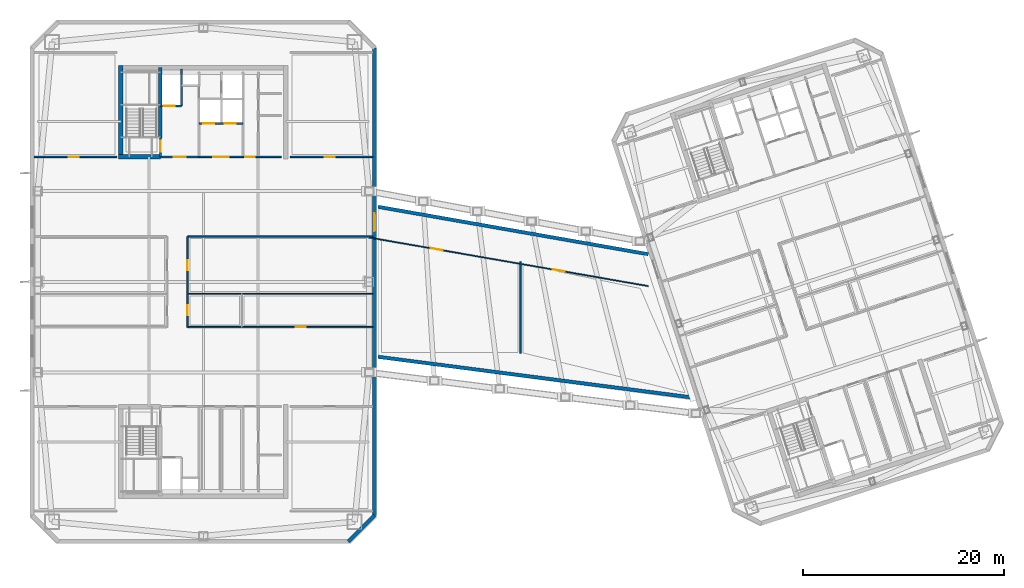
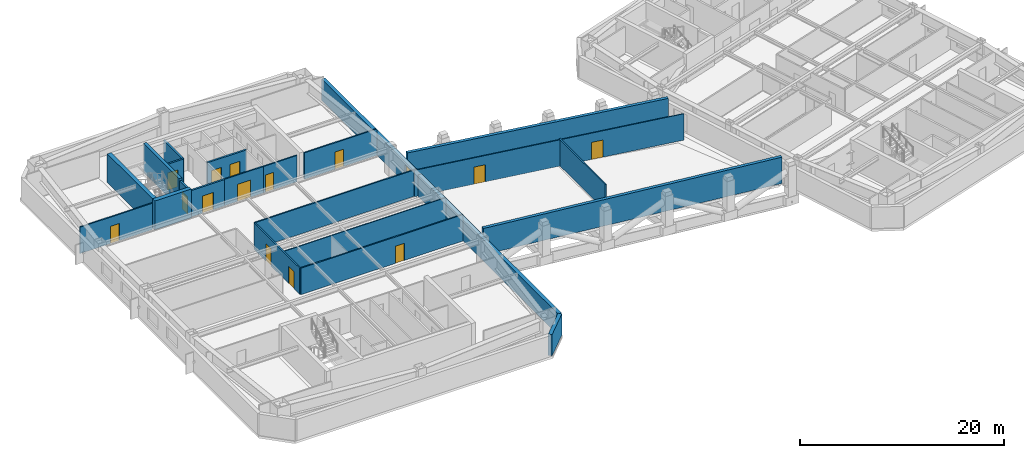
# One storey, part 7 of 19: 22 walls, 15 doors, 15 openings.
"""IFC4 building model written with IfcOpenShell, lengths in metres."""

from ifc_helpers import new_model, si_unit, direction, frame, frame_2d, origin, place, context, subcontext, project, spatial, rectangle, extrude, material, layer, layer_set, type_object, element, fill, save


model = new_model("IFC4")

# Units and contexts
model_context = context("Model", 3, precision=1e-05, world=origin(), true_north=direction((0.0, 1.0)))
body_context = subcontext(model_context, "Body", "Model", "MODEL_VIEW")
ifc_project = project(units=[si_unit("LENGTHUNIT", "METRE"), si_unit("AREAUNIT", "SQUARE_METRE"), si_unit("VOLUMEUNIT", "CUBIC_METRE"), si_unit("PLANEANGLEUNIT", "RADIAN"), si_unit("MASSUNIT", "GRAM", prefix="KILO")], contexts=[model_context])

# Site, building, storey
site_placement = place(None, origin())
site = spatial("IfcSite", under=ifc_project, at=site_placement, CompositionType="ELEMENT")
building_placement = place(site_placement, origin())
building = spatial("IfcBuilding", under=site, at=building_placement, Name="Qiaolan Cultural Towers", CompositionType="ELEMENT")
storey_placement = place(building_placement, frame((0.0, 0.0, 216.199951171875)))
storey = spatial("IfcBuildingStorey", under=building, at=storey_placement, Name="L58", CompositionType="ELEMENT", Elevation=216.199951171875)

# Walls
ifc_material_1 = material(Name="Concrete C50", Category="concrete")
ifc_layer_1 = layer(ifc_material_1, 0.35009765625)
ifc_layer_set_1 = layer_set([ifc_layer_1], Name="Concrete C50")
wall_type_1 = type_object("IfcWallType", Name="WL-CORE-350", PredefinedType="SHEAR", material=ifc_layer_set_1)
wall_1_placement = place(storey_placement, frame((25.719970703125, 48.300048828125, 0.0), z_axis=(0.0, 0.0, 1.0), x_axis=(0.0, 1.0, 0.0)))
element("IfcWall", 1, at=wall_1_placement, inside=storey, type_object=wall_type_1, Name="L58 T1-CN Stair Core Dividing Web", PredefinedType="SHEAR", context=body_context, shape_type="SweptSolid", body=[
    extrude(rectangle(XDim=6.97998046875, YDim=0.35009765625, at=frame_2d((3.489990234375, 0.0))), origin(), (0.0, 0.0, 1.0), 3.449951171875),
])
ifc_material_2 = material(Name="Concrete C50", Category="concrete")
ifc_layer_2 = layer(ifc_material_2, 0.449951171875)
ifc_layer_set_2 = layer_set([ifc_layer_2], Name="Concrete C50")
wall_type_2 = type_object("IfcWallType", Name="WL-CORE-450", PredefinedType="SHEAR", material=ifc_layer_set_2)
wall_2_placement = place(storey_placement, frame((21.800048828125, 46.175048828125, 0.0), z_axis=(0.0, 0.0, 1.0), x_axis=(0.0, 1.0, 0.0)))
element("IfcWall", 2, at=wall_2_placement, inside=storey, type_object=wall_type_2, Name="L58 T1-CN West Core Shear Wall", PredefinedType="SHEAR", context=body_context, shape_type="SweptSolid", body=[
    extrude(rectangle(XDim=9.329833984375, YDim=0.449951171875, at=frame_2d((4.6650390625, 0.0))), origin(), (0.0, 0.0, 1.0), 3.449951171875),
])
wall_3_placement = place(storey_placement, frame((21.574951171875, 46.39990234375, 0.0), z_axis=(0.0, 0.0, 1.0), x_axis=(1.0, 0.0, 0.0)))
element("IfcWall", 3, at=wall_3_placement, inside=storey, type_object=wall_type_2, Name="L58 T1-CN Stair Front Shear Wall", PredefinedType="SHEAR", context=body_context, shape_type="SweptSolid", body=[
    extrude(rectangle(XDim=4.14501953125, YDim=0.449951171875, at=frame_2d((2.072509765625, 0.0))), origin(), (0.0, 0.0, 1.0), 3.449951171875),
])

# Wall, opening, door
ifc_material_3 = material(Name="Precast Concrete C50 Honed Stone Pier", Category="masonry")
ifc_layer_3 = layer(ifc_material_3, 0.39990234375)
ifc_layer_set_3 = layer_set([ifc_layer_3], Name="Precast Concrete C50 Honed Stone Pier")
wall_type_3 = type_object("IfcWallType", Name="WL-EXT-PIER-400", PredefinedType="SOLIDWALL", material=ifc_layer_set_3)
wall_4_placement = place(storey_placement, frame((47.0, 57.199951171875, 0.0), z_axis=(0.0, 0.0, 1.0), x_axis=(0.0, -1.0, 0.0)))
wall_4 = element("IfcWall", 4, at=wall_4_placement, inside=storey, type_object=wall_type_3, Name="L58 West Tower Precast Pier Facade Wall F5", PredefinedType="SOLIDWALL", context=body_context, shape_type="SweptSolid", body=[
    extrude(rectangle(XDim=46.39990234375, YDim=0.39990234375, at=frame_2d((23.199951171875, 0.0))), origin(), (0.0, 0.0, 1.0), 2.550048828125),
])
opening_1_placement = place(wall_4_placement, frame((16.39990234375, 0.0, 0.0)))
opening_1 = element("IfcOpeningElement", 5, at=opening_1_placement, cuts=wall_4, Name="Opening FD-B1", PredefinedType="OPENING", context=body_context, shape_type="SweptSolid", body=[
    extrude(rectangle(XDim=1.800048828125, YDim=2.199951171875, at=frame_2d((0.89990234375, 1.10009765625))), frame((0.0, 0.2099609375, 0.0), z_axis=(0.0, -1.0, 0.0), x_axis=(1.0, 0.0, 0.0)), (0.0, 0.0, 1.0), 0.419921875),
])
ifc_material_4 = material(Name="Galvanized Steel Fire-Rated Bridge Door", Category="steel")
door_type_1 = type_object("IfcDoorType", Name="DR-BRG-1800", OperationType="NOTDEFINED", PredefinedType="DOOR", material=ifc_material_4)
door_1_placement = place(opening_1_placement, origin())
door_1 = element("IfcDoor", 6, at=door_1_placement, inside=storey, type_object=door_type_1, Name="L58 West Tower Sky Park Bridge Fire Door", OperationType="SINGLE_SWING_LEFT", OverallHeight=2.199951171875, OverallWidth=1.800048828125, PredefinedType="DOOR", context=body_context, shape_type="SweptSolid", body=[
    extrude(rectangle(XDim=1.800048828125, YDim=2.199951171875, at=frame_2d((0.89990234375, 1.10009765625))), frame((0.0, 0.02490234375, 0.0), z_axis=(0.0, -1.0, 0.0), x_axis=(1.0, 0.0, 0.0)), (0.0, 0.0, 1.0), 0.050048828125),
])
fill(opening_1, door_1)

# Walls
wall_5_placement = place(storey_placement, frame((47.0, 10.800048828125, 0.0), z_axis=(0.0, 0.0, 1.0), x_axis=(-0.707106781187, -0.707106781187, 0.0)))
element("IfcWall", 7, at=wall_5_placement, inside=storey, type_object=wall_type_3, Name="L58 West Tower Precast Pier Facade Wall F6", PredefinedType="SOLIDWALL", context=body_context, shape_type="SweptSolid", body=[
    extrude(rectangle(XDim=3.677001953125, YDim=0.39990234375, at=frame_2d((1.83837890625, 0.0))), origin(), (0.0, 0.0, 1.0), 2.550048828125),
])
wall_6_placement = place(storey_placement, frame((47.35009765625, 26.550048828125, 0.0), z_axis=(0.0, 0.0, 1.0), x_axis=(0.991732402874, -0.128323189996, 0.0)))
element("IfcWall", 8, at=wall_6_placement, inside=storey, type_object=wall_type_3, Name="L58 Sky Park South Bridge Facade Wall", PredefinedType="SOLIDWALL", context=body_context, shape_type="SweptSolid", body=[
    extrude(rectangle(XDim=31.724853515625, YDim=0.35009765625, at=frame_2d((15.8623046875, 0.0))), origin(), (0.0, 0.0, 1.0), 3.150146484375),
])
wall_7_placement = place(storey_placement, frame((74.177490234375, 36.744873046875, 0.0), z_axis=(0.0, 0.0, 1.0), x_axis=(-0.984966283934, 0.172746691759, 0.0)))
element("IfcWall", 9, at=wall_7_placement, inside=storey, type_object=wall_type_3, Name="L58 Sky Park North Bridge Facade Wall", PredefinedType="SOLIDWALL", context=body_context, shape_type="SweptSolid", body=[
    extrude(rectangle(XDim=27.23681640625, YDim=0.35009765625, at=frame_2d((13.618408203125, 0.0))), origin(), (0.0, 0.0, 1.0), 3.150146484375),
])

# Wall, opening, door
ifc_material_5 = material(Name="Concrete C35 Fire Wall", Category="concrete")
ifc_layer_4 = layer(ifc_material_5, 0.199951171875)
ifc_layer_set_4 = layer_set([ifc_layer_4], Name="Concrete C35 Fire Wall")
wall_type_4 = type_object("IfcWallType", Name="WL-FIRE-200", PredefinedType="PARTITIONING", material=ifc_layer_set_4)
wall_8_placement = place(storey_placement, frame((25.719970703125, 46.39990234375, 0.0), z_axis=(0.0, 0.0, 1.0), x_axis=(0.0, 1.0, 0.0)))
wall_8 = element("IfcWall", 10, at=wall_8_placement, inside=storey, type_object=wall_type_4, Name="L58 T1-CN Smokeproof Stair Entry Wall", PredefinedType="PARTITIONING", context=body_context, shape_type="SweptSolid", body=[
    extrude(rectangle(XDim=1.900146484375, YDim=0.199951171875, at=frame_2d((0.9501953125, 0.0))), origin(), (0.0, 0.0, 1.0), 3.155029296875),
])
opening_2_placement = place(wall_8_placement, frame((0.52001953125, 0.0, 0.0)))
opening_2 = element("IfcOpeningElement", 11, at=opening_2_placement, cuts=wall_8, Name="Opening FD-04", PredefinedType="OPENING", context=body_context, shape_type="SweptSolid", body=[
    extrude(rectangle(XDim=1.10009765625, YDim=2.050048828125, at=frame_2d((0.550048828125, 1.02490234375))), frame((0.0, 0.10986328125, 0.0), z_axis=(0.0, -1.0, 0.0), x_axis=(1.0, 0.0, 0.0)), (0.0, 0.0, 1.0), 0.219970703125),
])
ifc_material_6 = material(Name="Galvanized Steel Command Fire Door", Category="steel")
door_type_2 = type_object("IfcDoorType", Name="DR-FD90-1100", OperationType="NOTDEFINED", PredefinedType="DOOR", material=ifc_material_6)
door_2_placement = place(opening_2_placement, origin())
door_2 = element("IfcDoor", 12, at=door_2_placement, inside=storey, type_object=door_type_2, Name="L58 ST-W2 Smokeproof Stair Fire Door", OperationType="SINGLE_SWING_LEFT", OverallHeight=2.050048828125, OverallWidth=1.10009765625, PredefinedType="DOOR", context=body_context, shape_type="SweptSolid", body=[
    extrude(rectangle(XDim=1.10009765625, YDim=2.050048828125, at=frame_2d((0.550048828125, 1.02490234375))), frame((0.0, 0.02490234375, 0.0), z_axis=(0.0, -1.0, 0.0), x_axis=(1.0, 0.0, 0.0)), (0.0, 0.0, 1.0), 0.050048828125),
])
fill(opening_2, door_2)

wall_9_placement = place(storey_placement, frame((25.719970703125, 46.39990234375, 0.0), z_axis=(0.0, 0.0, 1.0), x_axis=(1.0, 0.0, 0.0)))
wall_9 = element("IfcWall", 13, at=wall_9_placement, inside=storey, type_object=wall_type_4, Name="L58 T1-CN Firefighting Lobby Front Wall", PredefinedType="PARTITIONING", context=body_context, shape_type="SweptSolid", body=[
    extrude(rectangle(XDim=3.830078125, YDim=0.199951171875, at=frame_2d((1.9150390625, 0.0))), origin(), (0.0, 0.0, 1.0), 3.155029296875),
])
opening_3_placement = place(wall_9_placement, frame((1.35009765625, 0.0, 0.0)))
opening_3 = element("IfcOpeningElement", 14, at=opening_3_placement, cuts=wall_9, Name="Opening FD-03", PredefinedType="OPENING", context=body_context, shape_type="SweptSolid", body=[
    extrude(rectangle(XDim=1.199951171875, YDim=2.050048828125, at=frame_2d((0.60009765625, 1.02490234375))), frame((0.0, 0.10986328125, 0.0), z_axis=(0.0, -1.0, 0.0), x_axis=(1.0, 0.0, 0.0)), (0.0, 0.0, 1.0), 0.219970703125),
])
ifc_material_7 = material(Name="Galvanized Steel Smokeproof Lobby Fire Door", Category="steel")
door_type_3 = type_object("IfcDoorType", Name="DR-FD90-1200", OperationType="NOTDEFINED", PredefinedType="DOOR", material=ifc_material_7)
door_3_placement = place(opening_3_placement, origin())
door_3 = element("IfcDoor", 15, at=door_3_placement, inside=storey, type_object=door_type_3, Name="L58 FFL-W2 Firefighting Lobby Fire Door", OperationType="SINGLE_SWING_LEFT", OverallHeight=2.050048828125, OverallWidth=1.199951171875, PredefinedType="DOOR", context=body_context, shape_type="SweptSolid", body=[
    extrude(rectangle(XDim=1.199951171875, YDim=2.050048828125, at=frame_2d((0.60009765625, 1.02490234375))), frame((0.0, 0.02490234375, 0.0), z_axis=(0.0, -1.0, 0.0), x_axis=(1.0, 0.0, 0.0)), (0.0, 0.0, 1.0), 0.050048828125),
])
fill(opening_3, door_3)

wall_10_placement = place(storey_placement, frame((25.719970703125, 51.449951171875, 0.0), z_axis=(0.0, 0.0, 1.0), x_axis=(1.0, 0.0, 0.0)))
wall_10 = element("IfcWall", 16, at=wall_10_placement, inside=storey, type_object=wall_type_4, Name="L58 T1-CN Firefighting Shaft Front Wall", PredefinedType="PARTITIONING", context=body_context, shape_type="SweptSolid", body=[
    extrude(rectangle(XDim=2.10009765625, YDim=0.199951171875, at=frame_2d((1.050048828125, 0.0))), origin(), (0.0, 0.0, 1.0), 3.155029296875),
])
opening_4_placement = place(wall_10_placement, frame((0.35009765625, 0.0, 0.0)))
opening_4 = element("IfcOpeningElement", 17, at=opening_4_placement, cuts=wall_10, Name="Opening LD-01", PredefinedType="OPENING", context=body_context, shape_type="SweptSolid", body=[
    extrude(rectangle(XDim=1.10009765625, YDim=2.050048828125, at=frame_2d((0.550048828125, 1.02490234375))), frame((0.0, 0.10986328125, 0.0), z_axis=(0.0, -1.0, 0.0), x_axis=(1.0, 0.0, 0.0)), (0.0, 0.0, 1.0), 0.219970703125),
])
ifc_material_8 = material(Name="Brushed Stainless Steel S30408 Centre-Parting Lift Landing Door", Category="steel")
door_type_4 = type_object("IfcDoorType", Name="DR-LIFT-1100", OperationType="NOTDEFINED", PredefinedType="DOOR", material=ifc_material_8)
door_4_placement = place(opening_4_placement, origin())
door_4 = element("IfcDoor", 18, at=door_4_placement, inside=storey, type_object=door_type_4, Name="L58 FFL-W2 Firefighting Lift Landing Door", OperationType="DOUBLE_DOOR_SLIDING", OverallHeight=2.050048828125, OverallWidth=1.10009765625, PredefinedType="DOOR", context=body_context, shape_type="SweptSolid", body=[
    extrude(rectangle(XDim=1.10009765625, YDim=2.050048828125, at=frame_2d((0.550048828125, 1.02490234375))), frame((0.0, 0.02490234375, 0.0), z_axis=(0.0, -1.0, 0.0), x_axis=(1.0, 0.0, 0.0)), (0.0, 0.0, 1.0), 0.050048828125),
])
fill(opening_4, door_4)

# Wall
wall_11_placement = place(storey_placement, frame((27.820068359375, 51.449951171875, 0.0), z_axis=(0.0, 0.0, 1.0), x_axis=(0.0, 1.0, 0.0)))
element("IfcWall", 19, at=wall_11_placement, inside=storey, type_object=wall_type_4, Name="L58 T1-CN Firefighting Hoistway East Wall", PredefinedType="PARTITIONING", context=body_context, shape_type="SweptSolid", body=[
    extrude(rectangle(XDim=3.699951171875, YDim=0.199951171875, at=frame_2d((1.85009765625, 0.0))), origin(), (0.0, 0.0, 1.0), 3.155029296875),
])

# Wall, openings, doors
wall_12_placement = place(storey_placement, frame((29.550048828125, 49.719970703125, 0.0), z_axis=(0.0, 0.0, 1.0), x_axis=(1.0, 0.0, 0.0)))
wall_12 = element("IfcWall", 20, at=wall_12_placement, inside=storey, type_object=wall_type_4, Name="L58 T1-CN Passenger Lift Shaft Front Wall", PredefinedType="PARTITIONING", context=body_context, shape_type="SweptSolid", body=[
    extrude(rectangle(XDim=4.39990234375, YDim=0.199951171875, at=frame_2d((2.199951171875, 0.0))), origin(), (0.0, 0.0, 1.0), 3.155029296875),
])
opening_5_placement = place(wall_12_placement, frame((0.449951171875, 0.0, 0.0)))
opening_5 = element("IfcOpeningElement", 21, at=opening_5_placement, cuts=wall_12, Name="Opening LD-01", PredefinedType="OPENING", context=body_context, shape_type="SweptSolid", body=[
    extrude(rectangle(XDim=1.10009765625, YDim=2.050048828125, at=frame_2d((0.550048828125, 1.02490234375))), frame((0.0, 0.10986328125, 0.0), z_axis=(0.0, -1.0, 0.0), x_axis=(1.0, 0.0, 0.0)), (0.0, 0.0, 1.0), 0.219970703125),
])
opening_6_placement = place(wall_12_placement, frame((2.550048828125, 0.0, 0.0)))
opening_6 = element("IfcOpeningElement", 22, at=opening_6_placement, cuts=wall_12, Name="Opening LD-01", PredefinedType="OPENING", context=body_context, shape_type="SweptSolid", body=[
    extrude(rectangle(XDim=1.10009765625, YDim=2.050048828125, at=frame_2d((0.550048828125, 1.02490234375))), frame((0.0, 0.10986328125, 0.0), z_axis=(0.0, -1.0, 0.0), x_axis=(1.0, 0.0, 0.0)), (0.0, 0.0, 1.0), 0.219970703125),
])
door_5_placement = place(opening_5_placement, origin())
door_5 = element("IfcDoor", 23, at=door_5_placement, inside=storey, type_object=door_type_4, Name="L58 Passenger Lift 1 Landing Door", OperationType="DOUBLE_DOOR_SLIDING", OverallHeight=2.050048828125, OverallWidth=1.10009765625, PredefinedType="DOOR", context=body_context, shape_type="SweptSolid", body=[
    extrude(rectangle(XDim=1.10009765625, YDim=2.050048828125, at=frame_2d((0.550048828125, 1.02490234375))), frame((0.0, 0.02490234375, 0.0), z_axis=(0.0, -1.0, 0.0), x_axis=(1.0, 0.0, 0.0)), (0.0, 0.0, 1.0), 0.050048828125),
])
fill(opening_5, door_5)
door_6_placement = place(opening_6_placement, origin())
door_6 = element("IfcDoor", 24, at=door_6_placement, inside=storey, type_object=door_type_4, Name="L58 Passenger Lift 2 Landing Door", OperationType="DOUBLE_DOOR_SLIDING", OverallHeight=2.050048828125, OverallWidth=1.10009765625, PredefinedType="DOOR", context=body_context, shape_type="SweptSolid", body=[
    extrude(rectangle(XDim=1.10009765625, YDim=2.050048828125, at=frame_2d((0.550048828125, 1.02490234375))), frame((0.0, 0.02490234375, 0.0), z_axis=(0.0, -1.0, 0.0), x_axis=(1.0, 0.0, 0.0)), (0.0, 0.0, 1.0), 0.050048828125),
])
fill(opening_6, door_6)

# Wall
ifc_material_9 = material(Name="Acoustic Double-Glazed Partition Frame", Category="glass")
ifc_layer_5 = layer(ifc_material_9, 0.10009765625)
ifc_layer_set_5 = layer_set([ifc_layer_5], Name="Acoustic Double-Glazed Partition Frame")
wall_type_5 = type_object("IfcWallType", Name="WL-GLAZED-100", PredefinedType="MOVABLE", material=ifc_layer_set_5)
wall_13_placement = place(storey_placement, frame((28.425048828125, 32.820068359375, 0.0), z_axis=(0.0, 0.0, 1.0), x_axis=(1.0, 0.0, 0.0)))
element("IfcWall", 25, at=wall_13_placement, inside=storey, type_object=wall_type_5, Name="L58 T1 Interior Wall", PredefinedType="MOVABLE", context=body_context, shape_type="SweptSolid", body=[
    extrude(rectangle(XDim=18.375, YDim=0.10009765625, at=frame_2d((9.1875, 0.0))), origin(), (0.0, 0.0, 1.0), 3.155029296875),
])

# Wall, openings, doors
wall_14_placement = place(storey_placement, frame((46.449951171875, 38.39990234375, 0.0), z_axis=(0.0, 0.0, 1.0), x_axis=(0.985202712742, -0.171393158571, 0.0)))
wall_14 = element("IfcWall", 26, at=wall_14_placement, inside=storey, type_object=wall_type_5, Name="L58 Sky Park Link Corridor Glazed Partition", PredefinedType="MOVABLE", context=body_context, shape_type="SweptSolid", body=[
    extrude(rectangle(XDim=28.144287109375, YDim=0.10009765625, at=frame_2d((14.072265625, 0.0))), origin(), (0.0, 0.0, 1.0), 3.155029296875),
])
opening_7_placement = place(wall_14_placement, frame((6.199951171875, 0.0, 0.0)))
opening_7 = element("IfcOpeningElement", 27, at=opening_7_placement, cuts=wall_14, Name="Opening ID-02", PredefinedType="OPENING", context=body_context, shape_type="SweptSolid", body=[
    extrude(rectangle(XDim=1.199951171875, YDim=2.050048828125, at=frame_2d((0.60009765625, 1.02490234375))), frame((0.0, 0.06005859375, 0.0), z_axis=(0.0, -1.0, 0.0), x_axis=(1.0, 0.0, 0.0)), (0.0, 0.0, 1.0), 0.1201171875),
])
opening_8_placement = place(wall_14_placement, frame((18.5, 0.0, 0.0)))
opening_8 = element("IfcOpeningElement", 28, at=opening_8_placement, cuts=wall_14, Name="Opening ID-02", PredefinedType="OPENING", context=body_context, shape_type="SweptSolid", body=[
    extrude(rectangle(XDim=1.199951171875, YDim=2.050048828125, at=frame_2d((0.60009765625, 1.02490234375))), frame((0.0, 0.06005859375, 0.0), z_axis=(0.0, -1.0, 0.0), x_axis=(1.0, 0.0, 0.0)), (0.0, 0.0, 1.0), 0.1201171875),
])
ifc_material_10 = material(Name="Oak Veneer Solid-Core Gallery Door", Category="timber")
door_type_5 = type_object("IfcDoorType", Name="DR-INT-1200", OperationType="NOTDEFINED", PredefinedType="DOOR", material=ifc_material_10)
door_7_placement = place(opening_7_placement, origin())
door_7 = element("IfcDoor", 29, at=door_7_placement, inside=storey, type_object=door_type_5, Name="L58 Sky Park Botanical Exhibition Hall Door", OperationType="SINGLE_SWING_LEFT", OverallHeight=2.050048828125, OverallWidth=1.199951171875, PredefinedType="DOOR", context=body_context, shape_type="SweptSolid", body=[
    extrude(rectangle(XDim=1.199951171875, YDim=2.050048828125, at=frame_2d((0.60009765625, 1.02490234375))), frame((0.0, 0.02490234375, 0.0), z_axis=(0.0, -1.0, 0.0), x_axis=(1.0, 0.0, 0.0)), (0.0, 0.0, 1.0), 0.050048828125),
])
fill(opening_7, door_7)
door_8_placement = place(opening_8_placement, origin())
door_8 = element("IfcDoor", 30, at=door_8_placement, inside=storey, type_object=door_type_5, Name="L58 Sky Park Cultural Reading Lounge Door", OperationType="SINGLE_SWING_RIGHT", OverallHeight=2.050048828125, OverallWidth=1.199951171875, PredefinedType="DOOR", context=body_context, shape_type="SweptSolid", body=[
    extrude(rectangle(XDim=1.199951171875, YDim=2.050048828125, at=frame_2d((0.60009765625, 1.02490234375))), frame((0.0, 0.02490234375, 0.0), z_axis=(0.0, -1.0, 0.0), x_axis=(1.0, 0.0, 0.0)), (0.0, 0.0, 1.0), 0.050048828125),
])
fill(opening_8, door_8)

# Wall, opening, door
ifc_material_11 = material(Name="Autoclaved Aerated Concrete Block B06", Category="concrete")
ifc_layer_6 = layer(ifc_material_11, 0.14990234375)
ifc_layer_set_6 = layer_set([ifc_layer_6], Name="Autoclaved Aerated Concrete Block B06")
wall_type_6 = type_object("IfcWallType", Name="WL-PART-150", PredefinedType="PARTITIONING", material=ifc_layer_set_6)
wall_15_placement = place(storey_placement, frame((29.550048828125, 46.39990234375, 0.0), z_axis=(0.0, 0.0, 1.0), x_axis=(1.0, 0.0, 0.0)))
wall_15 = element("IfcWall", 31, at=wall_15_placement, inside=storey, type_object=wall_type_6, Name="L58 T1-CN Passenger Lift Lobby Front Wall", PredefinedType="PARTITIONING", context=body_context, shape_type="SweptSolid", body=[
    extrude(rectangle(XDim=4.39990234375, YDim=0.14990234375, at=frame_2d((2.199951171875, 0.0))), origin(), (0.0, 0.0, 1.0), 3.155029296875),
])
opening_9_placement = place(wall_15_placement, frame((1.449951171875, 0.0, 0.0)))
opening_9 = element("IfcOpeningElement", 32, at=opening_9_placement, cuts=wall_15, Name="Opening FD-05", PredefinedType="OPENING", context=body_context, shape_type="SweptSolid", body=[
    extrude(rectangle(XDim=1.5, YDim=2.050048828125, at=frame_2d((0.75, 1.02490234375))), frame((0.0, 0.0849609375, 0.0), z_axis=(0.0, -1.0, 0.0), x_axis=(1.0, 0.0, 0.0)), (0.0, 0.0, 1.0), 0.169921875),
])
ifc_material_12 = material(Name="Painted Steel Lift Lobby Fire Door", Category="steel")
door_type_6 = type_object("IfcDoorType", Name="DR-FD60-1500", OperationType="NOTDEFINED", PredefinedType="DOOR", material=ifc_material_12)
door_9_placement = place(opening_9_placement, origin())
door_9 = element("IfcDoor", 33, at=door_9_placement, inside=storey, type_object=door_type_6, Name="L58 Passenger Lift Lobby Entrance", OperationType="SINGLE_SWING_LEFT", OverallHeight=2.050048828125, OverallWidth=1.5, PredefinedType="DOOR", context=body_context, shape_type="SweptSolid", body=[
    extrude(rectangle(XDim=1.5, YDim=2.050048828125, at=frame_2d((0.75, 1.02490234375))), frame((0.0, 0.02490234375, 0.0), z_axis=(0.0, -1.0, 0.0), x_axis=(1.0, 0.0, 0.0)), (0.0, 0.0, 1.0), 0.050048828125),
])
fill(opening_9, door_9)

wall_16_placement = place(storey_placement, frame((33.949951171875, 46.39990234375, 0.0), z_axis=(0.0, 0.0, 1.0), x_axis=(1.0, 0.0, 0.0)))
wall_16 = element("IfcWall", 34, at=wall_16_placement, inside=storey, type_object=wall_type_6, Name="L58 T1-CN Sanitary Core Front Wall", PredefinedType="PARTITIONING", context=body_context, shape_type="SweptSolid", body=[
    extrude(rectangle(XDim=3.800048828125, YDim=0.14990234375, at=frame_2d((1.89990234375, 0.0))), origin(), (0.0, 0.0, 1.0), 3.155029296875),
])
opening_10_placement = place(wall_16_placement, frame((0.219970703125, 0.0, 0.0)))
opening_10 = element("IfcOpeningElement", 35, at=opening_10_placement, cuts=wall_16, Name="Opening ID-05", PredefinedType="OPENING", context=body_context, shape_type="SweptSolid", body=[
    extrude(rectangle(XDim=0.949951171875, YDim=2.050048828125, at=frame_2d((0.47509765625, 1.02490234375))), frame((0.0, 0.0849609375, 0.0), z_axis=(0.0, -1.0, 0.0), x_axis=(1.0, 0.0, 0.0)), (0.0, 0.0, 1.0), 0.169921875),
])
ifc_material_13 = material(Name="Fire-Rated Laminate Accessible Core Door", Category="timber")
door_type_7 = type_object("IfcDoorType", Name="DR-INT-950", OperationType="NOTDEFINED", PredefinedType="DOOR", material=ifc_material_13)
door_10_placement = place(opening_10_placement, origin())
door_10 = element("IfcDoor", 36, at=door_10_placement, inside=storey, type_object=door_type_7, Name="L58 Sanitary Vestibule Door", OperationType="SINGLE_SWING_LEFT", OverallHeight=2.050048828125, OverallWidth=0.949951171875, PredefinedType="DOOR", context=body_context, shape_type="SweptSolid", body=[
    extrude(rectangle(XDim=0.949951171875, YDim=2.050048828125, at=frame_2d((0.47509765625, 1.02490234375))), frame((0.0, 0.02490234375, 0.0), z_axis=(0.0, -1.0, 0.0), x_axis=(1.0, 0.0, 0.0)), (0.0, 0.0, 1.0), 0.050048828125),
])
fill(opening_10, door_10)

wall_17_placement = place(storey_placement, frame((13.199951171875, 46.39990234375, 0.0), z_axis=(0.0, 0.0, 1.0), x_axis=(1.0, 0.0, 0.0)))
wall_17 = element("IfcWall", 37, at=wall_17_placement, inside=storey, type_object=wall_type_6, Name="L58 T1 Flank Front FLK-NW", PredefinedType="PARTITIONING", context=body_context, shape_type="SweptSolid", body=[
    extrude(rectangle(XDim=8.199951171875, YDim=0.14990234375, at=frame_2d((4.10009765625, 0.0))), origin(), (0.0, 0.0, 1.0), 3.155029296875),
])
opening_11_placement = place(wall_17_placement, frame((3.444091796875, 0.0, 0.0)))
opening_11 = element("IfcOpeningElement", 38, at=opening_11_placement, cuts=wall_17, Name="Opening ID-04", PredefinedType="OPENING", context=body_context, shape_type="SweptSolid", body=[
    extrude(rectangle(XDim=1.0, YDim=2.050048828125, at=frame_2d((0.5, 1.02490234375))), frame((0.0, 0.0849609375, 0.0), z_axis=(0.0, -1.0, 0.0), x_axis=(1.0, 0.0, 0.0)), (0.0, 0.0, 1.0), 0.169921875),
])
ifc_material_14 = material(Name="Oak Veneer Acoustic Office Door", Category="timber")
door_type_8 = type_object("IfcDoorType", Name="DR-INT-1000", OperationType="NOTDEFINED", PredefinedType="DOOR", material=ifc_material_14)
door_11_placement = place(opening_11_placement, origin())
door_11 = element("IfcDoor", 39, at=door_11_placement, inside=storey, type_object=door_type_8, Name="L58 T1 Corner Studio Door", OperationType="SINGLE_SWING_LEFT", OverallHeight=2.050048828125, OverallWidth=1.0, PredefinedType="DOOR", context=body_context, shape_type="SweptSolid", body=[
    extrude(rectangle(XDim=1.0, YDim=2.050048828125, at=frame_2d((0.5, 1.02490234375))), frame((0.0, 0.02490234375, 0.0), z_axis=(0.0, -1.0, 0.0), x_axis=(1.0, 0.0, 0.0)), (0.0, 0.0, 1.0), 0.050048828125),
])
fill(opening_11, door_11)

wall_18_placement = place(storey_placement, frame((38.60009765625, 46.39990234375, 0.0), z_axis=(0.0, 0.0, 1.0), x_axis=(1.0, 0.0, 0.0)))
wall_18 = element("IfcWall", 40, at=wall_18_placement, inside=storey, type_object=wall_type_6, Name="L58 T1 Flank Front FLK-NE", PredefinedType="PARTITIONING", context=body_context, shape_type="SweptSolid", body=[
    extrude(rectangle(XDim=8.199951171875, YDim=0.14990234375, at=frame_2d((4.10009765625, 0.0))), origin(), (0.0, 0.0, 1.0), 3.155029296875),
])
opening_12_placement = place(wall_18_placement, frame((3.444091796875, 0.0, 0.0)))
opening_12 = element("IfcOpeningElement", 41, at=opening_12_placement, cuts=wall_18, Name="Opening ID-04", PredefinedType="OPENING", context=body_context, shape_type="SweptSolid", body=[
    extrude(rectangle(XDim=1.0, YDim=2.050048828125, at=frame_2d((0.5, 1.02490234375))), frame((0.0, 0.0849609375, 0.0), z_axis=(0.0, -1.0, 0.0), x_axis=(1.0, 0.0, 0.0)), (0.0, 0.0, 1.0), 0.169921875),
])
door_12_placement = place(opening_12_placement, origin())
door_12 = element("IfcDoor", 42, at=door_12_placement, inside=storey, type_object=door_type_8, Name="L58 T1 Corner Studio Door", OperationType="SINGLE_SWING_LEFT", OverallHeight=2.050048828125, OverallWidth=1.0, PredefinedType="DOOR", context=body_context, shape_type="SweptSolid", body=[
    extrude(rectangle(XDim=1.0, YDim=2.050048828125, at=frame_2d((0.5, 1.02490234375))), frame((0.0, 0.02490234375, 0.0), z_axis=(0.0, -1.0, 0.0), x_axis=(1.0, 0.0, 0.0)), (0.0, 0.0, 1.0), 0.050048828125),
])
fill(opening_12, door_12)

wall_19_placement = place(storey_placement, frame((28.425048828125, 29.5, 0.0), z_axis=(0.0, 0.0, 1.0), x_axis=(1.0, 0.0, 0.0)))
wall_19 = element("IfcWall", 43, at=wall_19_placement, inside=storey, type_object=wall_type_6, Name="L58 T1 South Foyer East Wall", PredefinedType="PARTITIONING", context=body_context, shape_type="SweptSolid", body=[
    extrude(rectangle(XDim=18.375, YDim=0.14990234375, at=frame_2d((9.1875, 0.0))), origin(), (0.0, 0.0, 1.0), 3.155029296875),
])
opening_13_placement = place(wall_19_placement, frame((10.72509765625, 0.0, 0.0)))
opening_13 = element("IfcOpeningElement", 44, at=opening_13_placement, cuts=wall_19, Name="Opening ID-04", PredefinedType="OPENING", context=body_context, shape_type="SweptSolid", body=[
    extrude(rectangle(XDim=1.0, YDim=2.050048828125, at=frame_2d((0.5, 1.02490234375))), frame((0.0, 0.0849609375, 0.0), z_axis=(0.0, -1.0, 0.0), x_axis=(1.0, 0.0, 0.0)), (0.0, 0.0, 1.0), 0.169921875),
])
door_13_placement = place(opening_13_placement, origin())
door_13 = element("IfcDoor", 45, at=door_13_placement, inside=storey, type_object=door_type_8, Name="L58 T1 Curator Office Door", OperationType="SINGLE_SWING_RIGHT", OverallHeight=2.050048828125, OverallWidth=1.0, PredefinedType="DOOR", context=body_context, shape_type="SweptSolid", body=[
    extrude(rectangle(XDim=1.0, YDim=2.050048828125, at=frame_2d((0.5, 1.02490234375))), frame((0.0, 0.02490234375, 0.0), z_axis=(0.0, -1.0, 0.0), x_axis=(1.0, 0.0, 0.0)), (0.0, 0.0, 1.0), 0.050048828125),
])
fill(opening_13, door_13)

# Wall
wall_20_placement = place(storey_placement, frame((28.425048828125, 38.5, 0.0), z_axis=(0.0, 0.0, 1.0), x_axis=(1.0, 0.0, 0.0)))
element("IfcWall", 46, at=wall_20_placement, inside=storey, type_object=wall_type_6, Name="L58 T1 North Foyer East Wall", PredefinedType="PARTITIONING", context=body_context, shape_type="SweptSolid", body=[
    extrude(rectangle(XDim=18.375, YDim=0.14990234375, at=frame_2d((9.1875, 0.0))), origin(), (0.0, 0.0, 1.0), 3.155029296875),
])

# Wall, openings, doors
wall_21_placement = place(storey_placement, frame((28.425048828125, 29.5, 0.0), z_axis=(0.0, 0.0, 1.0), x_axis=(0.0, 1.0, 0.0)))
wall_21 = element("IfcWall", 47, at=wall_21_placement, inside=storey, type_object=wall_type_6, Name="L58 T1 Central Spine East Wall", PredefinedType="PARTITIONING", context=body_context, shape_type="SweptSolid", body=[
    extrude(rectangle(XDim=9.0, YDim=0.14990234375, at=frame_2d((4.5, 0.0))), origin(), (0.0, 0.0, 1.0), 3.155029296875),
])
opening_14_placement = place(wall_21_placement, frame((1.159912109375, 0.0, 0.0)))
opening_14 = element("IfcOpeningElement", 48, at=opening_14_placement, cuts=wall_21, Name="Opening ID-04", PredefinedType="OPENING", context=body_context, shape_type="SweptSolid", body=[
    extrude(rectangle(XDim=1.0, YDim=2.050048828125, at=frame_2d((0.5, 1.02490234375))), frame((0.0, 0.0849609375, 0.0), z_axis=(0.0, -1.0, 0.0), x_axis=(1.0, 0.0, 0.0)), (0.0, 0.0, 1.0), 0.169921875),
])
opening_15_placement = place(wall_21_placement, frame((5.659912109375, 0.0, 0.0)))
opening_15 = element("IfcOpeningElement", 49, at=opening_15_placement, cuts=wall_21, Name="Opening ID-04", PredefinedType="OPENING", context=body_context, shape_type="SweptSolid", body=[
    extrude(rectangle(XDim=1.0, YDim=2.050048828125, at=frame_2d((0.5, 1.02490234375))), frame((0.0, 0.0849609375, 0.0), z_axis=(0.0, -1.0, 0.0), x_axis=(1.0, 0.0, 0.0)), (0.0, 0.0, 1.0), 0.169921875),
])
door_14_placement = place(opening_14_placement, origin())
door_14 = element("IfcDoor", 50, at=door_14_placement, inside=storey, type_object=door_type_8, Name="L58 T1 Sky Gallery Gift Shop Door", OperationType="SINGLE_SWING_LEFT", OverallHeight=2.050048828125, OverallWidth=1.0, PredefinedType="DOOR", context=body_context, shape_type="SweptSolid", body=[
    extrude(rectangle(XDim=1.0, YDim=2.050048828125, at=frame_2d((0.5, 1.02490234375))), frame((0.0, 0.02490234375, 0.0), z_axis=(0.0, -1.0, 0.0), x_axis=(1.0, 0.0, 0.0)), (0.0, 0.0, 1.0), 0.050048828125),
])
fill(opening_14, door_14)
door_15_placement = place(opening_15_placement, origin())
door_15 = element("IfcDoor", 51, at=door_15_placement, inside=storey, type_object=door_type_8, Name="L58 T1 Curator Office Door", OperationType="SINGLE_SWING_LEFT", OverallHeight=2.050048828125, OverallWidth=1.0, PredefinedType="DOOR", context=body_context, shape_type="SweptSolid", body=[
    extrude(rectangle(XDim=1.0, YDim=2.050048828125, at=frame_2d((0.5, 1.02490234375))), frame((0.0, 0.02490234375, 0.0), z_axis=(0.0, -1.0, 0.0), x_axis=(1.0, 0.0, 0.0)), (0.0, 0.0, 1.0), 0.050048828125),
])
fill(opening_15, door_15)

# Wall
wall_22_placement = place(storey_placement, frame((61.5, 26.89990234375, 0.0), z_axis=(0.0, 0.0, 1.0), x_axis=(0.0, 1.0, 0.0)))
element("IfcWall", 52, at=wall_22_placement, inside=storey, type_object=wall_type_6, Name="L58 Sky Park Exhibition Dividing Wall", PredefinedType="PARTITIONING", context=body_context, shape_type="SweptSolid", body=[
    extrude(rectangle(XDim=9.088134765625, YDim=0.14990234375, at=frame_2d((4.5439453125, 0.0))), origin(), (0.0, 0.0, 1.0), 3.155029296875),
])

save(model, "model.ifc")
